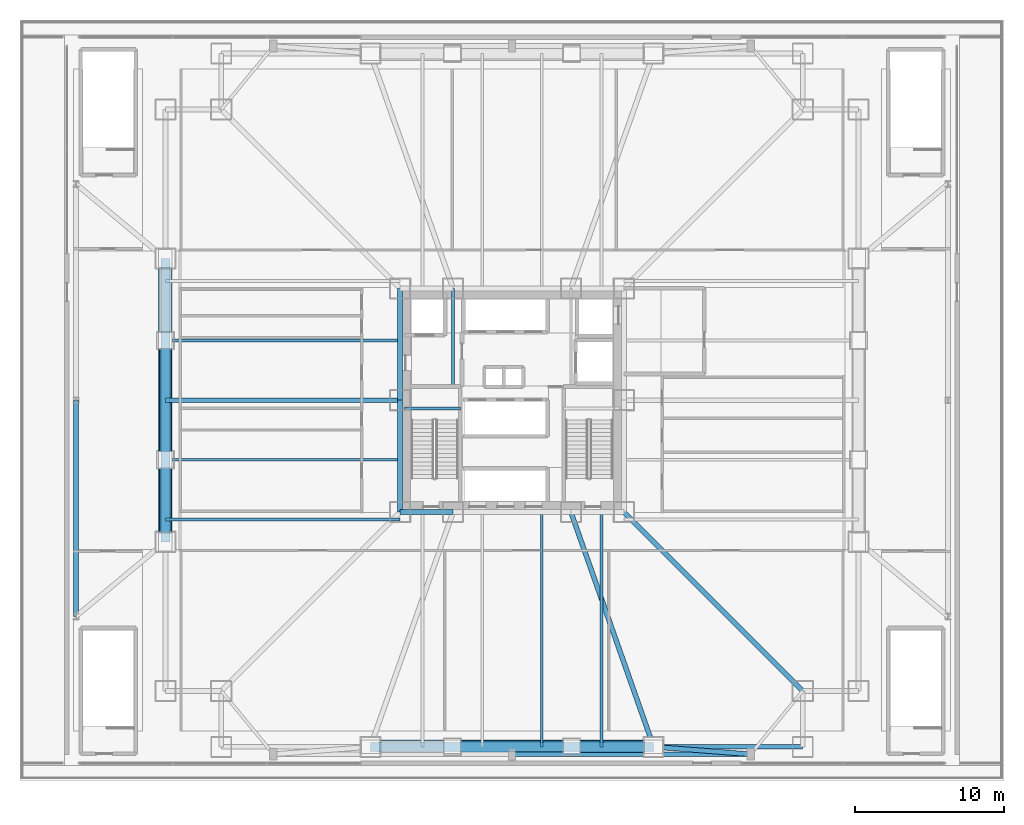
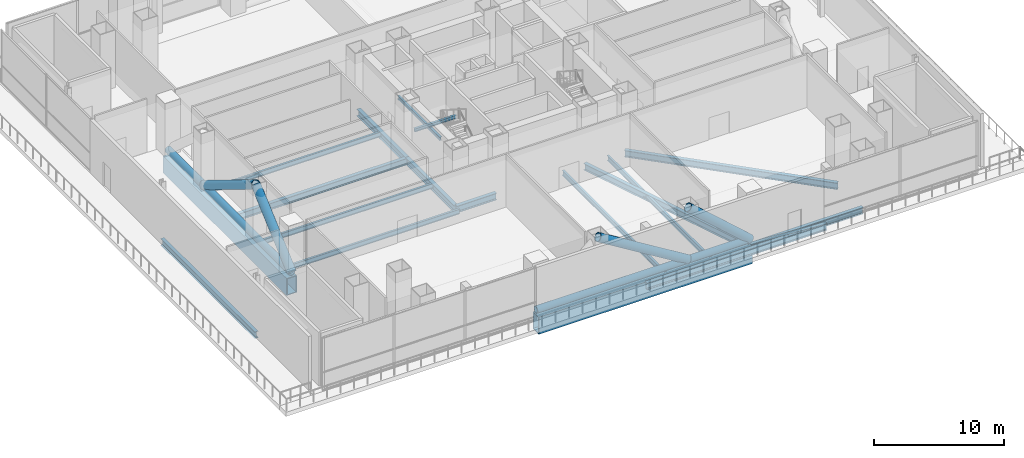
# One storey, part 4 of 21: 19 beams, 6 members.
"""IFC4 building model written with IfcOpenShell, lengths in metres."""

from ifc_helpers import new_model, si_unit, direction, frame, origin, origin_2d, place, context, subcontext, project, spatial, hollow_rectangle, hollow_circle, i_section, extrude, material, material_profile, profile_set, type_object, element, save


model = new_model("IFC4")

# Units and contexts
model_context = context("Model", 3, precision=1e-05, world=origin(), true_north=direction((0.0, 1.0)))
body_context = subcontext(model_context, "Body", "Model", "MODEL_VIEW")
ifc_project = project(units=[si_unit("LENGTHUNIT", "METRE"), si_unit("AREAUNIT", "SQUARE_METRE"), si_unit("VOLUMEUNIT", "CUBIC_METRE"), si_unit("PLANEANGLEUNIT", "RADIAN"), si_unit("MASSUNIT", "GRAM", prefix="KILO")], contexts=[model_context])

# Site, building, storey
site_placement = place(None, origin())
site = spatial("IfcSite", under=ifc_project, at=site_placement, CompositionType="ELEMENT")
building_placement = place(site_placement, origin())
building = spatial("IfcBuilding", under=site, at=building_placement, Name="Trevonay Congress Spire", CompositionType="ELEMENT")
storey_placement = place(building_placement, frame((0.0, 0.0, 21.60009765625)))
storey = spatial("IfcBuildingStorey", under=building, at=storey_placement, Name="L04", CompositionType="ELEMENT", Elevation=21.60009765625)

# Beams
ifc_material = material(Name="Steel ASTM A572 Grade 50", Category="steel")
ifc_material_profile_1 = material_profile(ifc_material, i_section(OverallWidth=0.324951171875, OverallDepth=0.615966796875, WebThickness=0.013916015625, FlangeThickness=0.021484375, FilletRadius=0.01806640625, at=origin_2d()), Name="W610x174")
ifc_profile_set_1 = profile_set([ifc_material_profile_1], Name="Steel ASTM A572 Grade 50")
beam_type_1 = type_object("IfcBeamType", Name="BM-GIRD-W610X174", PredefinedType="BEAM", material=ifc_profile_set_1)
beam_1_placement = place(storey_placement, frame((9.5, -23.25, -0.7080078125), z_axis=(1.0, 0.0, 0.0), x_axis=(0.0, 1.0, 0.0)))
element("IfcBeam", 1, at=beam_1_placement, inside=storey, type_object=beam_type_1, Name="L04 structural beam BM-L04-MS3", PredefinedType="BEAM", context=body_context, shape_type="SweptSolid", body=[
    extrude(i_section(OverallWidth=0.324951171875, OverallDepth=0.615966796875, WebThickness=0.013916015625, FlangeThickness=0.021484375, FilletRadius=0.01806640625, at=origin_2d()), origin(), (0.0, 0.0, 1.0), 10.0),
])
beam_2_placement = place(storey_placement, frame((7.5, -7.5, -0.7080078125), z_axis=(0.707106781187, -0.707106781187, 0.0), x_axis=(0.707106781187, 0.707106781187, 0.0)))
element("IfcBeam", 2, at=beam_2_placement, inside=storey, type_object=beam_type_1, Name="L04 structural beam BM-L04-RAD-SE", PredefinedType="BEAM", context=body_context, shape_type="SweptSolid", body=[
    extrude(i_section(OverallWidth=0.324951171875, OverallDepth=0.615966796875, WebThickness=0.013916015625, FlangeThickness=0.021484375, FilletRadius=0.01806640625, at=origin_2d()), origin(), (0.0, 0.0, 1.0), 16.970458984375),
])
beam_3_placement = place(storey_placement, frame((-7.5, 0.0, -0.7080078125), z_axis=(-1.0, 0.0, 0.0), x_axis=(0.0, -1.0, 0.0)))
element("IfcBeam", 3, at=beam_3_placement, inside=storey, type_object=beam_type_1, Name="L04 structural beam BM-L04-RAD-WC", PredefinedType="BEAM", context=body_context, shape_type="SweptSolid", body=[
    extrude(i_section(OverallWidth=0.324951171875, OverallDepth=0.615966796875, WebThickness=0.013916015625, FlangeThickness=0.021484375, FilletRadius=0.01806640625, at=origin_2d()), origin(), (0.0, 0.0, 1.0), 15.75),
])
beam_4_placement = place(storey_placement, frame((3.949951171875, -7.5, -0.7080078125), z_axis=(0.332352826786, -0.943155129619, 0.0), x_axis=(0.943155129619, 0.332352826786, 0.0)))
element("IfcBeam", 4, at=beam_4_placement, inside=storey, type_object=beam_type_1, Name="L04 structural beam BM-L04-RAD-S2", PredefinedType="BEAM", context=body_context, shape_type="SweptSolid", body=[
    extrude(i_section(OverallWidth=0.324951171875, OverallDepth=0.615966796875, WebThickness=0.013916015625, FlangeThickness=0.021484375, FilletRadius=0.01806640625, at=origin_2d()), origin(), (0.0, 0.0, 1.0), 16.69921875),
])
beam_5_placement = place(storey_placement, frame((-29.25, -14.5, -0.7080078125), z_axis=(0.0, 1.0, 0.0), x_axis=(-1.0, 0.0, 0.0)))
element("IfcBeam", 5, at=beam_5_placement, inside=storey, type_object=beam_type_1, Name="L04 structural beam BM-L04-POD-WL", PredefinedType="BEAM", context=body_context, shape_type="SweptSolid", body=[
    extrude(i_section(OverallWidth=0.324951171875, OverallDepth=0.615966796875, WebThickness=0.013916015625, FlangeThickness=0.021484375, FilletRadius=0.01806640625, at=origin_2d()), origin(), (0.0, 0.0, 1.0), 14.5),
])
beam_6_placement = place(storey_placement, frame((0.0, -23.75, -0.7080078125), z_axis=(1.0, 0.0, 0.0), x_axis=(0.0, 1.0, 0.0)))
element("IfcBeam", 6, at=beam_6_placement, inside=storey, type_object=beam_type_1, Name="L04 structural beam BM-L04-PIL-S2", PredefinedType="BEAM", context=body_context, shape_type="SweptSolid", body=[
    extrude(i_section(OverallWidth=0.324951171875, OverallDepth=0.615966796875, WebThickness=0.013916015625, FlangeThickness=0.021484375, FilletRadius=0.01806640625, at=origin_2d()), origin(), (0.0, 0.0, 1.0), 16.0),
])
beam_7_placement = place(storey_placement, frame((9.5, -23.25, -0.7080078125), z_axis=(0.997054485502, -0.076696498885, 0.0), x_axis=(0.076696498885, 0.997054485502, 0.0)))
element("IfcBeam", 7, at=beam_7_placement, inside=storey, type_object=beam_type_1, Name="L04 structural beam BM-L04-PIL-TS2", PredefinedType="BEAM", context=body_context, shape_type="SweptSolid", body=[
    extrude(i_section(OverallWidth=0.324951171875, OverallDepth=0.615966796875, WebThickness=0.013916015625, FlangeThickness=0.021484375, FilletRadius=0.01806640625, at=origin_2d()), origin(), (0.0, 0.0, 1.0), 6.519287109375),
])
ifc_material_profile_2 = material_profile(ifc_material, i_section(OverallWidth=0.3291015625, OverallDepth=0.635009765625, WebThickness=0.017822265625, FlangeThickness=0.031005859375, FilletRadius=0.01806640625, at=origin_2d()), Name="W610x241")
ifc_profile_set_2 = profile_set([ifc_material_profile_2], Name="Steel ASTM A572 Grade 50")
beam_type_2 = type_object("IfcBeamType", Name="BM-GIRD-W610X241", PredefinedType="BEAM", material=ifc_profile_set_2)
beam_8_placement = place(storey_placement, frame((-7.5, -7.5, -0.717529296875), z_axis=(1.0, 0.0, 0.0), x_axis=(0.0, 1.0, 0.0)))
element("IfcBeam", 8, at=beam_8_placement, inside=storey, type_object=beam_type_2, Name="L04 structural beam BM-L04-CR-S1", PredefinedType="BEAM", context=body_context, shape_type="SweptSolid", body=[
    extrude(i_section(OverallWidth=0.3291015625, OverallDepth=0.635009765625, WebThickness=0.017822265625, FlangeThickness=0.031005859375, FilletRadius=0.01806640625, at=origin_2d()), origin(), (0.0, 0.0, 1.0), 3.550048828125),
])
for number, where, z_axis, x_axis, name in (
    (9, (-7.5, -7.5, -0.717529296875), (0.0, 1.0, 0.0), (-1.0, 0.0, 0.0), "L04 structural beam BM-L04-CR-W1"),
    (10, (-7.5, 0.0, -0.717529296875), (0.0, 1.0, 0.0), (-1.0, 0.0, 0.0), "L04 structural beam BM-L04-CR-W2"),
):
    element("IfcBeam", number, at=place(storey_placement, frame(where, z_axis=z_axis, x_axis=x_axis)), inside=storey, type_object=beam_type_2, Name=name, PredefinedType="BEAM", context=body_context, shape_type="SweptSolid", body=[
        extrude(i_section(OverallWidth=0.3291015625, OverallDepth=0.635009765625, WebThickness=0.017822265625, FlangeThickness=0.031005859375, FilletRadius=0.01806640625, at=origin_2d()), origin(), (0.0, 0.0, 1.0), 7.5),
    ])
ifc_material_profile_3 = material_profile(ifc_material, hollow_rectangle(XDim=0.89990234375, YDim=1.60009765625, WallThickness=0.06005859375, at=origin_2d()), Name="BOX 1600x900x60")
ifc_profile_set_3 = profile_set([ifc_material_profile_3], Name="Steel ASTM A572 Grade 50")
beam_type_3 = type_object("IfcBeamType", Name="BM-XFER-BOX1600", PredefinedType="BEAM", material=ifc_profile_set_3)
for number, where, z_axis, x_axis, name in (
    (11, (-9.5, -23.25, -1.2001953125), (1.0, 0.0, 0.0), (0.0, 1.0, 0.0), "L04 structural beam BM-L04-MS2"),
    (12, (-23.25, -9.5, -1.2001953125), (0.0, 1.0, 0.0), (-1.0, 0.0, 0.0), "L04 structural beam BM-L04-MW2"),
):
    element("IfcBeam", number, at=place(storey_placement, frame(where, z_axis=z_axis, x_axis=x_axis)), inside=storey, type_object=beam_type_3, Name=name, PredefinedType="BEAM", context=body_context, shape_type="SweptSolid", body=[
        extrude(hollow_rectangle(XDim=0.89990234375, YDim=1.60009765625, WallThickness=0.06005859375, at=origin_2d()), origin(), (0.0, 0.0, 1.0), 19.0),
    ])
ifc_material_profile_4 = material_profile(ifc_material, i_section(OverallWidth=0.18994140625, OverallDepth=0.45703125, WebThickness=0.009033203125, FlangeThickness=0.014404296875, FilletRadius=0.013916015625, at=origin_2d()), Name="W460x74")
ifc_profile_set_4 = profile_set([ifc_material_profile_4], Name="Steel ASTM A572 Grade 50")
beam_type_4 = type_object("IfcBeamType", Name="JS-COMP-W460X74", PredefinedType="JOIST", material=ifc_profile_set_4)
for number, where, z_axis, x_axis, name in (
    (13, (-23.25, -8.0, -0.628662109375), (1.0, 0.0, 0.0), (0.0, 1.0, 0.0), "L04 structural beam JS-L04-WH1"),
    (14, (-23.25, -4.0, -0.628662109375), (1.0, 0.0, 0.0), (0.0, 1.0, 0.0), "L04 structural beam JS-L04-WH2"),
    (15, (-23.25, 4.0, -0.628662109375), (1.0, 0.0, 0.0), (0.0, 1.0, 0.0), "L04 structural beam JS-L04-WH3"),
    (16, (2.0, -23.25, -0.628662109375), (0.0, 1.0, 0.0), (-1.0, 0.0, 0.0), "L04 structural beam JS-L04-SH3"),
    (17, (6.0, -23.25, -0.628662109375), (0.0, 1.0, 0.0), (-1.0, 0.0, 0.0), "L04 structural beam JS-L04-SH4"),
):
    element("IfcBeam", number, at=place(storey_placement, frame(where, z_axis=z_axis, x_axis=x_axis)), inside=storey, type_object=beam_type_4, Name=name, PredefinedType="JOIST", context=body_context, shape_type="SweptSolid", body=[
        extrude(i_section(OverallWidth=0.18994140625, OverallDepth=0.45703125, WebThickness=0.009033203125, FlangeThickness=0.014404296875, FilletRadius=0.013916015625, at=origin_2d()), origin(), (0.0, 0.0, 1.0), 15.75),
    ])
ifc_material_profile_5 = material_profile(ifc_material, i_section(OverallWidth=0.2041015625, OverallDepth=0.305908203125, WebThickness=0.008544921875, FlangeThickness=0.0146484375, FilletRadius=0.010986328125, at=origin_2d()), Name="W310x67")
ifc_profile_set_5 = profile_set([ifc_material_profile_5], Name="Steel ASTM A572 Grade 50")
beam_type_5 = type_object("IfcBeamType", Name="LN-CORE-W310X67", PredefinedType="LINTEL", material=ifc_profile_set_5)
beam_9_placement = place(storey_placement, frame((-3.949951171875, 1.0, -0.552978515625), z_axis=(0.0, 1.0, 0.0), x_axis=(-1.0, 0.0, 0.0)))
element("IfcBeam", 18, at=beam_9_placement, inside=storey, type_object=beam_type_5, Name="L04 structural beam LIN-L04-W", PredefinedType="LINTEL", context=body_context, shape_type="SweptSolid", body=[
    extrude(i_section(OverallWidth=0.2041015625, OverallDepth=0.305908203125, WebThickness=0.008544921875, FlangeThickness=0.0146484375, FilletRadius=0.010986328125, at=origin_2d()), origin(), (0.0, 0.0, 1.0), 6.5),
])
beam_10_placement = place(storey_placement, frame((-7.199951171875, -0.550048828125, 2.346923828125), z_axis=(1.0, 0.0, 0.0), x_axis=(0.0, 1.0, 0.0)))
element("IfcBeam", 19, at=beam_10_placement, inside=storey, type_object=beam_type_5, Name="L04 structural beam BM-L04-HL-ST1", PredefinedType="LINTEL", context=body_context, shape_type="SweptSolid", body=[
    extrude(i_section(OverallWidth=0.2041015625, OverallDepth=0.305908203125, WebThickness=0.008544921875, FlangeThickness=0.0146484375, FilletRadius=0.010986328125, at=origin_2d()), origin(), (0.0, 0.0, 1.0), 3.75),
])

# Members
ifc_material_profile_6 = material_profile(ifc_material, hollow_circle(Radius=0.304931640625, WallThickness=0.031982421875, at=origin_2d()), Name="CHS 610x32")
ifc_profile_set_6 = profile_set([ifc_material_profile_6], Name="Steel ASTM A572 Grade 50")
member_type_1 = type_object("IfcMemberType", Name="MBR-CHORD-CHS610", PredefinedType="CHORD", material=ifc_profile_set_6)
for number, where, z_axis, x_axis, name in (
    (20, (-9.5, -23.25, 0.0498046875), (1.0, 0.0, 0.0), (0.0, 1.0, 0.0), "Podium 24m hall transfer truss S bottom chord"),
    (21, (-23.25, -9.5, 0.0498046875), (0.0, 1.0, 0.0), (-1.0, 0.0, 0.0), "Podium 24m hall transfer truss W bottom chord"),
):
    element("IfcMember", number, at=place(storey_placement, frame(where, z_axis=z_axis, x_axis=x_axis)), inside=storey, type_object=member_type_1, Name=name, PredefinedType="CHORD", context=body_context, shape_type="SweptSolid", body=[
        extrude(hollow_circle(Radius=0.304931640625, WallThickness=0.031982421875, at=origin_2d()), origin(), (0.0, 0.0, 1.0), 19.0),
    ])
ifc_material_profile_7 = material_profile(ifc_material, hollow_circle(Radius=0.381103515625, WallThickness=0.0400390625, at=origin_2d()), Name="CHS 762x40")
ifc_profile_set_7 = profile_set([ifc_material_profile_7], Name="Steel ASTM A572 Grade 50")
member_type_2 = type_object("IfcMemberType", Name="MBR-OUTRIG-CHS762", PredefinedType="BRACE", material=ifc_profile_set_7)
member_1_placement = place(storey_placement, frame((-4.0, -23.25, 4.949951171875), z_axis=(0.85274746011, 0.0, -0.522323433589), x_axis=(0.0, 1.0, 0.0)))
element("IfcMember", 22, at=member_1_placement, inside=storey, type_object=member_type_2, Name="Podium 24m hall transfer truss S diagonal 2", PredefinedType="BRACE", context=body_context, shape_type="SweptSolid", body=[
    extrude(hollow_circle(Radius=0.381103515625, WallThickness=0.0400390625, at=origin_2d()), origin(), (0.0, 0.0, 1.0), 9.38134765625),
])
for number, where, z_axis, x_axis, name in (
    (23, (9.5, -23.25, 0.0498046875), (-0.746649966155, 0.0, 0.665217128493), (0.0, -1.0, 0.0), "Podium 24m hall transfer truss S diagonal 3"),
    (24, (-23.25, -9.5, 0.0498046875), (0.0, 0.746649966155, 0.665217128493), (-1.0, 0.0, 0.0), "Podium 24m hall transfer truss W diagonal 1"),
):
    element("IfcMember", number, at=place(storey_placement, frame(where, z_axis=z_axis, x_axis=x_axis)), inside=storey, type_object=member_type_2, Name=name, PredefinedType="BRACE", context=body_context, shape_type="SweptSolid", body=[
        extrude(hollow_circle(Radius=0.381103515625, WallThickness=0.0400390625, at=origin_2d()), origin(), (0.0, 0.0, 1.0), 7.3662109375),
    ])
member_2_placement = place(storey_placement, frame((-23.25, -4.0, 4.949951171875), z_axis=(0.0, 0.85274746011, -0.522323433589), x_axis=(-1.0, 0.0, 0.0)))
element("IfcMember", 25, at=member_2_placement, inside=storey, type_object=member_type_2, Name="Podium 24m hall transfer truss W diagonal 2", PredefinedType="BRACE", context=body_context, shape_type="SweptSolid", body=[
    extrude(hollow_circle(Radius=0.381103515625, WallThickness=0.0400390625, at=origin_2d()), origin(), (0.0, 0.0, 1.0), 9.38134765625),
])

save(model, "model.ifc")
